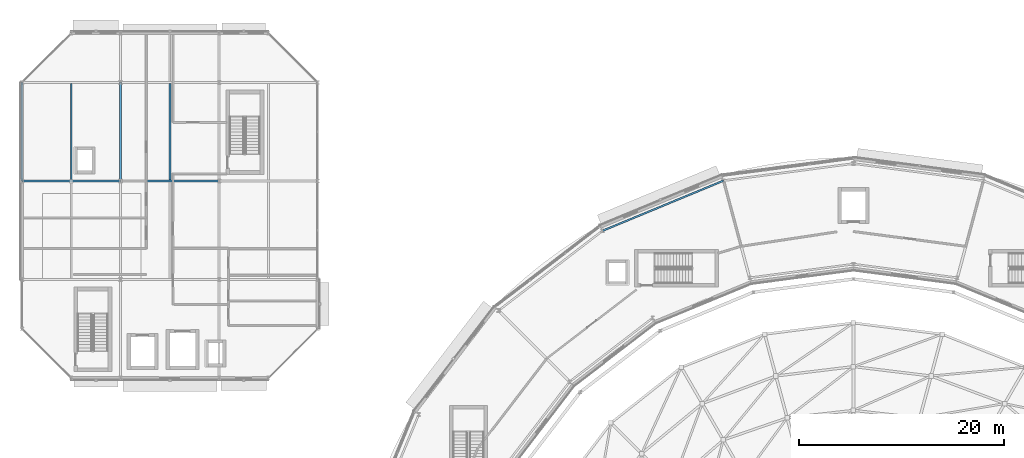
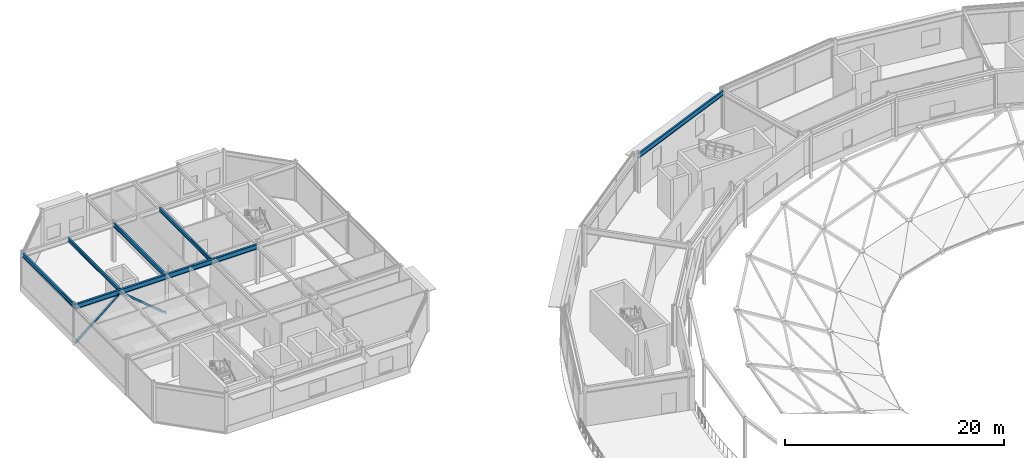
# One storey, part 33 of 89: 7 beams, 2 members.
"""IFC4 building model written with IfcOpenShell, lengths in metres."""

from ifc_helpers import new_model, si_unit, direction, frame, origin, origin_2d, place, context, subcontext, project, spatial, hollow_rectangle, i_section, extrude, material, material_profile, profile_set, type_object, element, save


model = new_model("IFC4")

# Units and contexts
model_context = context("Model", 3, precision=1e-05, world=origin(), true_north=direction((0.0, 1.0)))
body_context = subcontext(model_context, "Body", "Model", "MODEL_VIEW")
ifc_project = project(units=[si_unit("LENGTHUNIT", "METRE"), si_unit("AREAUNIT", "SQUARE_METRE"), si_unit("VOLUMEUNIT", "CUBIC_METRE"), si_unit("PLANEANGLEUNIT", "RADIAN"), si_unit("MASSUNIT", "GRAM", prefix="KILO")], contexts=[model_context])

# Site, building, storey
site_placement = place(None, origin())
site = spatial("IfcSite", under=ifc_project, at=site_placement, CompositionType="ELEMENT")
building_placement = place(site_placement, origin())
building = spatial("IfcBuilding", under=site, at=building_placement, Name="Almandine Court Research Institute", CompositionType="ELEMENT")
storey_placement = place(building_placement, frame((0.0, 0.0, 18.89990234375)))
storey = spatial("IfcBuildingStorey", under=building, at=storey_placement, Name="L04", CompositionType="ELEMENT", Elevation=18.89990234375)

# Beams
ifc_material_1 = material(Name="Steel ASTM A992 Grade 50", Category="steel")
ifc_material_profile_1 = material_profile(ifc_material_1, i_section(OverallWidth=0.18994140625, OverallDepth=0.45703125, WebThickness=0.009033203125, FlangeThickness=0.014892578125, at=origin_2d()), Name="W460x74")
ifc_profile_set_1 = profile_set([ifc_material_profile_1], Name="Steel ASTM A992 Grade 50")
beam_type_1 = type_object("IfcBeamType", Name="Beam-B-01", PredefinedType="BEAM", material=ifc_profile_set_1)
beam_1_placement = place(storey_placement, frame((15.60009765625, 103.199951171875, 4.14111328125), z_axis=(0.0, 1.0, 0.0), x_axis=(-1.0, 0.0, 0.0)))
element("IfcBeam", 1, at=beam_1_placement, inside=storey, type_object=beam_type_1, Name="L04 V3 Primary Y Girder", PredefinedType="BEAM", context=body_context, shape_type="SweptSolid", body=[
    extrude(i_section(OverallWidth=0.18994140625, OverallDepth=0.45703125, WebThickness=0.009033203125, FlangeThickness=0.014892578125, at=origin_2d()), origin(), (0.0, 0.0, 1.0), 9.60009765625),
])
ifc_material_profile_2 = material_profile(ifc_material_1, i_section(OverallWidth=0.178955078125, OverallDepth=0.409912109375, WebThickness=0.009033203125, FlangeThickness=0.013916015625, at=origin_2d()), Name="W410x67")
ifc_profile_set_2 = profile_set([ifc_material_profile_2], Name="Steel ASTM A992 Grade 50")
beam_type_2 = type_object("IfcBeamType", Name="Beam-B-02", PredefinedType="JOIST", material=ifc_profile_set_2)
for number, where, z_axis, x_axis, name in (
    (2, (10.800048828125, 103.302978515625, 4.1650390625), (0.0, 1.0, 0.0), (-1.0, 0.0, 0.0), "L04 V3 Composite Secondary Beam"),
    (3, (20.39990234375, 103.302978515625, 4.1650390625), (0.0, 1.0, 0.0), (-1.0, 0.0, 0.0), "L04 V3 Composite Secondary Beam"),
):
    element("IfcBeam", number, at=place(storey_placement, frame(where, z_axis=z_axis, x_axis=x_axis)), inside=storey, type_object=beam_type_2, Name=name, PredefinedType="JOIST", context=body_context, shape_type="SweptSolid", body=[
        extrude(i_section(OverallWidth=0.178955078125, OverallDepth=0.409912109375, WebThickness=0.009033203125, FlangeThickness=0.013916015625, at=origin_2d()), origin(), (0.0, 0.0, 1.0), 9.39404296875),
    ])
ifc_material_profile_3 = material_profile(ifc_material_1, i_section(OverallWidth=0.2109375, OverallDepth=0.5390625, WebThickness=0.011962890625, FlangeThickness=0.01904296875, at=origin_2d()), Name="W530x109")
ifc_profile_set_3 = profile_set([ifc_material_profile_3], Name="Steel ASTM A992 Grade 50")
beam_type_3 = type_object("IfcBeamType", Name="Beam-G-04", PredefinedType="BEAM", material=ifc_profile_set_3)
beam_2_placement = place(storey_placement, frame((6.0, 103.199951171875, 4.10009765625), z_axis=(1.0, 0.0, 0.0), x_axis=(0.0, 1.0, 0.0)))
element("IfcBeam", 4, at=beam_2_placement, inside=storey, type_object=beam_type_3, Name="L04 V3 Primary X Girder", PredefinedType="BEAM", context=body_context, shape_type="SweptSolid", body=[
    extrude(i_section(OverallWidth=0.2109375, OverallDepth=0.5390625, WebThickness=0.011962890625, FlangeThickness=0.01904296875, at=origin_2d()), origin(), (0.0, 0.0, 1.0), 9.60009765625),
])
beam_3_placement = place(storey_placement, frame((15.60009765625, 103.199951171875, 4.10009765625), z_axis=(1.0, 0.0, 0.0), x_axis=(0.0, 1.0, 0.0)))
element("IfcBeam", 5, at=beam_3_placement, inside=storey, type_object=beam_type_3, Name="L04 V3 Primary X Girder", PredefinedType="BEAM", context=body_context, shape_type="SweptSolid", body=[
    extrude(i_section(OverallWidth=0.2109375, OverallDepth=0.5390625, WebThickness=0.011962890625, FlangeThickness=0.01904296875, at=origin_2d()), origin(), (0.0, 0.0, 1.0), 9.599853515625),
])
ifc_material_profile_4 = material_profile(ifc_material_1, i_section(OverallWidth=0.166015625, OverallDepth=0.534912109375, WebThickness=0.010009765625, FlangeThickness=0.01708984375, at=origin_2d()), Name="W530x85")
ifc_profile_set_4 = profile_set([ifc_material_profile_4], Name="Steel ASTM A992 Grade 50")
beam_type_4 = type_object("IfcBeamType", Name="Beam-G-05-E", PredefinedType="SPANDREL", material=ifc_profile_set_4)
beam_4_placement = place(storey_placement, frame((74.343994140625, 103.23388671875, 4.041015625), z_axis=(-0.923891897665, -0.382653578879, 0.0), x_axis=(0.382653578879, -0.923891897665, 0.0)))
element("IfcBeam", 6, at=beam_4_placement, inside=storey, type_object=beam_type_4, Name="L04 Drum OUT Ring Beam 07", PredefinedType="SPANDREL", context=body_context, shape_type="SweptSolid", body=[
    extrude(i_section(OverallWidth=0.166015625, OverallDepth=0.534912109375, WebThickness=0.010009765625, FlangeThickness=0.01708984375, at=origin_2d()), origin(), (0.0, 0.0, 1.0), 12.765625),
])
ifc_material_profile_5 = material_profile(ifc_material_1, i_section(OverallWidth=0.193115234375, OverallDepth=0.466064453125, WebThickness=0.010986328125, FlangeThickness=0.01904296875, at=origin_2d()), Name="W460x97")
ifc_profile_set_5 = profile_set([ifc_material_profile_5], Name="Steel ASTM A992 Grade 50")
beam_type_5 = type_object("IfcBeamType", Name="Beam-G-06-E", PredefinedType="SPANDREL", material=ifc_profile_set_5)
beam_5_placement = place(storey_placement, frame((6.0, 103.199951171875, 4.13720703125), z_axis=(0.0, 1.0, 0.0), x_axis=(-1.0, 0.0, 0.0)))
element("IfcBeam", 7, at=beam_5_placement, inside=storey, type_object=beam_type_5, Name="L04 V3 Primary Y Girder", PredefinedType="SPANDREL", context=body_context, shape_type="SweptSolid", body=[
    extrude(i_section(OverallWidth=0.193115234375, OverallDepth=0.466064453125, WebThickness=0.010986328125, FlangeThickness=0.01904296875, at=origin_2d()), origin(), (0.0, 0.0, 1.0), 9.60009765625),
])

# Members
ifc_material_2 = material(Name="Steel ASTM A500 Grade C", Category="steel")
ifc_material_profile_6 = material_profile(ifc_material_2, hollow_rectangle(XDim=0.199951171875, YDim=0.199951171875, WallThickness=0.008056640625, at=origin_2d()), Name="HSS 200x200x8")
ifc_profile_set_6 = profile_set([ifc_material_profile_6], Name="Steel ASTM A500 Grade C")
member_type = type_object("IfcMemberType", Name="Mem-BF-BR2", PredefinedType="BRACE", material=ifc_profile_set_6)
for number, where, z_axis, x_axis, name in (
    (8, (6.0, 103.199951171875, 0.02001953125), (0.765862920872, 0.0, 0.643003877464), (0.0, 1.0, 0.0), "L04 Seismic Chevron Brace V3-BF1 Left"),
    (9, (15.60009765625, 103.199951171875, 0.02001953125), (-0.765862920872, 0.0, 0.643003877464), (0.0, -1.0, 0.0), "L04 Seismic Chevron Brace V3-BF1 Right"),
):
    element("IfcMember", number, at=place(storey_placement, frame(where, z_axis=z_axis, x_axis=x_axis)), inside=storey, type_object=member_type, Name=name, PredefinedType="BRACE", context=body_context, shape_type="SweptSolid", body=[
        extrude(hollow_rectangle(XDim=0.199951171875, YDim=0.199951171875, WallThickness=0.008056640625, at=origin_2d()), origin(), (0.0, 0.0, 1.0), 6.267578125),
    ])

save(model, "model.ifc")
